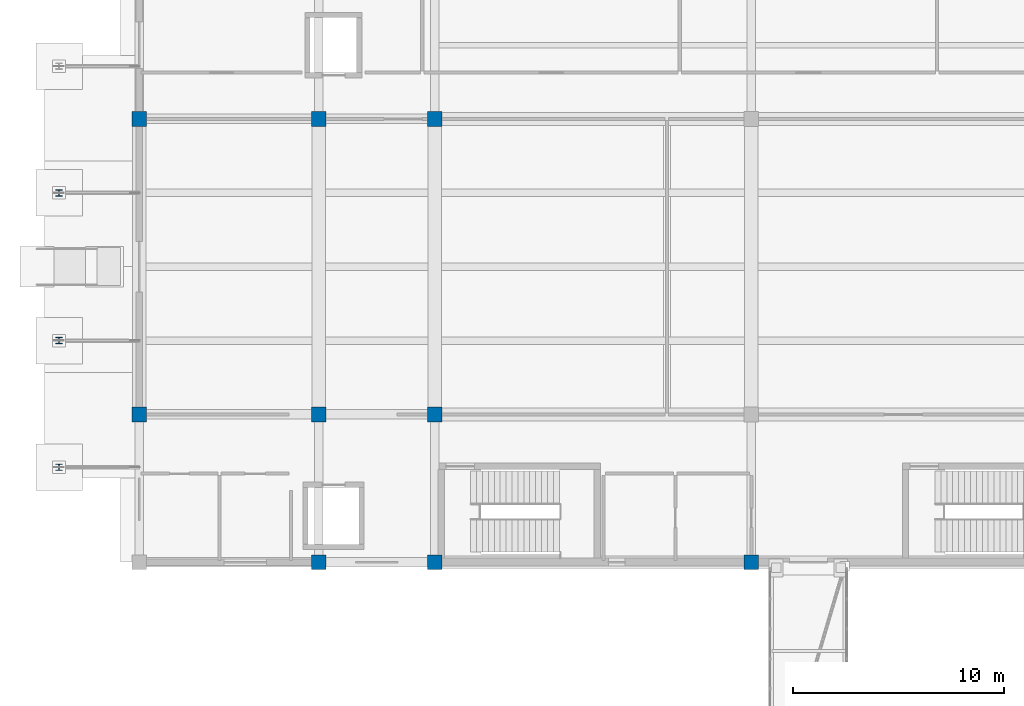
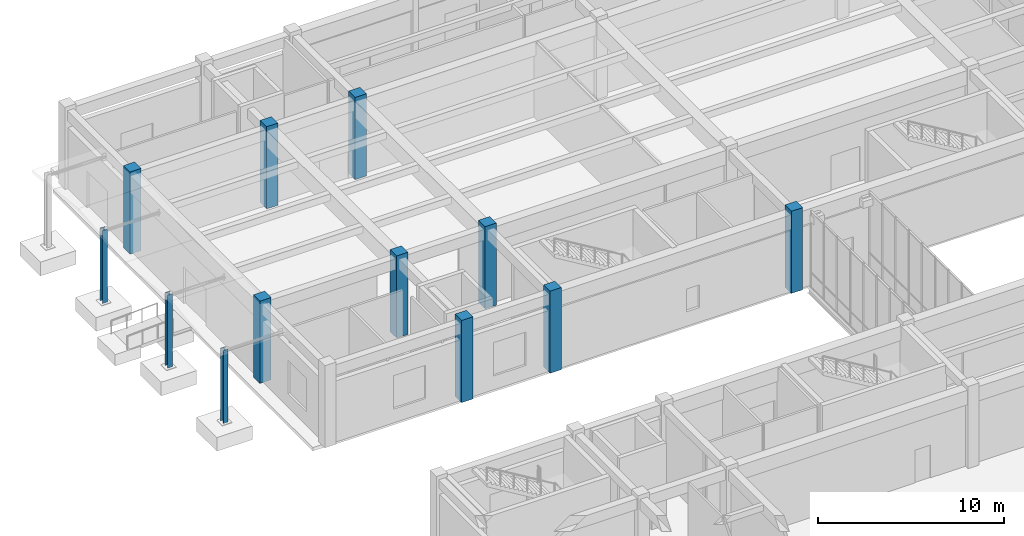
# One storey, part 2 of 40: 12 columns.
"""IFC4 building model written with IfcOpenShell, lengths in metres."""

from ifc_helpers import new_model, si_unit, direction, frame, origin, origin_2d, place, context, subcontext, project, spatial, rectangle, i_section, extrude, material, material_profile, profile_set, type_object, element, save


model = new_model("IFC4")

# Units and contexts
model_context = context("Model", 3, precision=1e-05, world=origin(), true_north=direction((0.0, 1.0)))
body_context = subcontext(model_context, "Body", "Model", "MODEL_VIEW")
ifc_project = project(units=[si_unit("LENGTHUNIT", "METRE"), si_unit("AREAUNIT", "SQUARE_METRE"), si_unit("VOLUMEUNIT", "CUBIC_METRE"), si_unit("PLANEANGLEUNIT", "RADIAN"), si_unit("MASSUNIT", "GRAM", prefix="KILO")], contexts=[model_context])

# Site, building, storey
site_placement = place(None, origin())
site = spatial("IfcSite", under=ifc_project, at=site_placement, CompositionType="ELEMENT")
building_placement = place(site_placement, origin())
building = spatial("IfcBuilding", under=site, at=building_placement, Name="Naurynzar Civic Courthouse", CompositionType="ELEMENT")
storey_placement = place(building_placement, origin())
storey = spatial("IfcBuildingStorey", under=building, at=storey_placement, Name="L01", CompositionType="ELEMENT", Elevation=0.0)

# Columns
ifc_material_1 = material(Name="Concrete C40/50", Category="concrete")
ifc_material_profile_1 = material_profile(ifc_material_1, rectangle(XDim=0.699951171875, YDim=0.699951171875, at=origin_2d()), Name="RC 700x700")
ifc_profile_set_1 = profile_set([ifc_material_profile_1], Name="Concrete C40/50")
column_type_1 = type_object("IfcColumnType", Name="COL-RC-700", PredefinedType="COLUMN", material=ifc_profile_set_1)
for number, where, z_axis, x_axis, name in (
    (1, (6.0, 51.0, 0.0), (0.0, 0.0, 1.0), (1.0, 0.0, 0.0), "V1 column (6.0,51.0) L01"),
    (2, (6.0, 65.0, 0.0), (0.0, 0.0, 1.0), (1.0, 0.0, 0.0), "V1 column (6.0,65.0) L01"),
    (3, (14.5, 44.0, 0.0), (0.0, 0.0, 1.0), (1.0, 0.0, 0.0), "V1 column (14.5,44.0) L01"),
    (4, (14.5, 51.0, 0.0), (0.0, 0.0, 1.0), (1.0, 0.0, 0.0), "V1 column (14.5,51.0) L01"),
    (5, (14.5, 65.0, 0.0), (0.0, 0.0, 1.0), (1.0, 0.0, 0.0), "V1 column (14.5,65.0) L01"),
    (6, (20.0, 44.0, 0.0), (0.0, 0.0, 1.0), (1.0, 0.0, 0.0), "V1 column (20.0,44.0) L01"),
    (7, (20.0, 51.0, 0.0), (0.0, 0.0, 1.0), (1.0, 0.0, 0.0), "V1 column (20.0,51.0) L01"),
    (8, (20.0, 65.0, 0.0), (0.0, 0.0, 1.0), (1.0, 0.0, 0.0), "V1 column (20.0,65.0) L01"),
    (9, (35.0, 44.0, 0.0), (0.0, 0.0, 1.0), (1.0, 0.0, 0.0), "V1 column (35.0,44.0) L01"),
):
    element("IfcColumn", number, at=place(storey_placement, frame(where, z_axis=z_axis, x_axis=x_axis)), inside=storey, type_object=column_type_1, Name=name, PredefinedType="COLUMN", context=body_context, shape_type="SweptSolid", body=[
        extrude(rectangle(XDim=0.699951171875, YDim=0.699951171875, at=origin_2d()), origin(), (0.0, 0.0, 1.0), 5.39990234375),
    ])
ifc_material_2 = material(Name="Steel S355", Category="steel")
ifc_material_profile_2 = material_profile(ifc_material_2, i_section(OverallWidth=0.300048828125, OverallDepth=0.300048828125, WebThickness=0.010986328125, FlangeThickness=0.01904296875, FilletRadius=0.027099609375, at=origin_2d()), Name="HEB 300")
ifc_profile_set_2 = profile_set([ifc_material_profile_2], Name="Steel S355")
column_type_2 = type_object("IfcColumnType", Name="COL-STL-HEB300", PredefinedType="COLUMN", material=ifc_profile_set_2)
for number, where, z_axis, x_axis, name in (
    (10, (2.199951171875, 48.5, 0.0), (0.0, 0.0, 1.0), (1.0, 0.0, 0.0), "West canopy steel column 1"),
    (11, (2.199951171875, 54.5, 0.0), (0.0, 0.0, 1.0), (1.0, 0.0, 0.0), "West canopy steel column 2"),
    (12, (2.199951171875, 61.5, 0.0), (0.0, 0.0, 1.0), (1.0, 0.0, 0.0), "West canopy steel column 3"),
):
    element("IfcColumn", number, at=place(storey_placement, frame(where, z_axis=z_axis, x_axis=x_axis)), inside=storey, type_object=column_type_2, Name=name, PredefinedType="COLUMN", context=body_context, shape_type="SweptSolid", body=[
        extrude(i_section(OverallWidth=0.300048828125, OverallDepth=0.300048828125, WebThickness=0.010986328125, FlangeThickness=0.01904296875, FilletRadius=0.027099609375, at=origin_2d()), origin(), (0.0, 0.0, 1.0), 4.800048828125),
    ])

save(model, "model.ifc")
